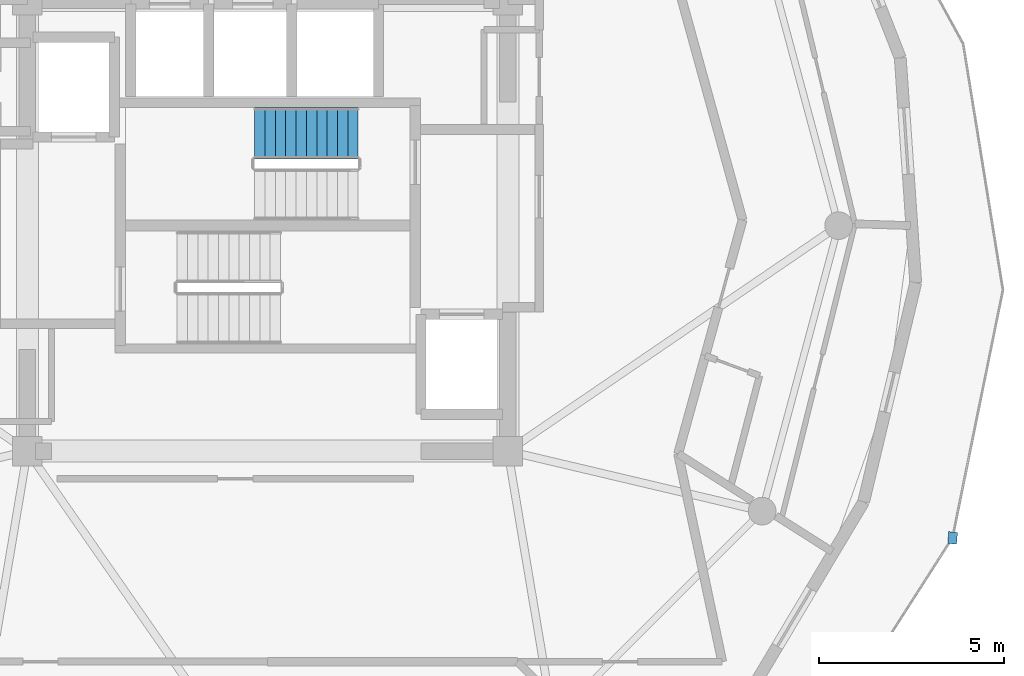
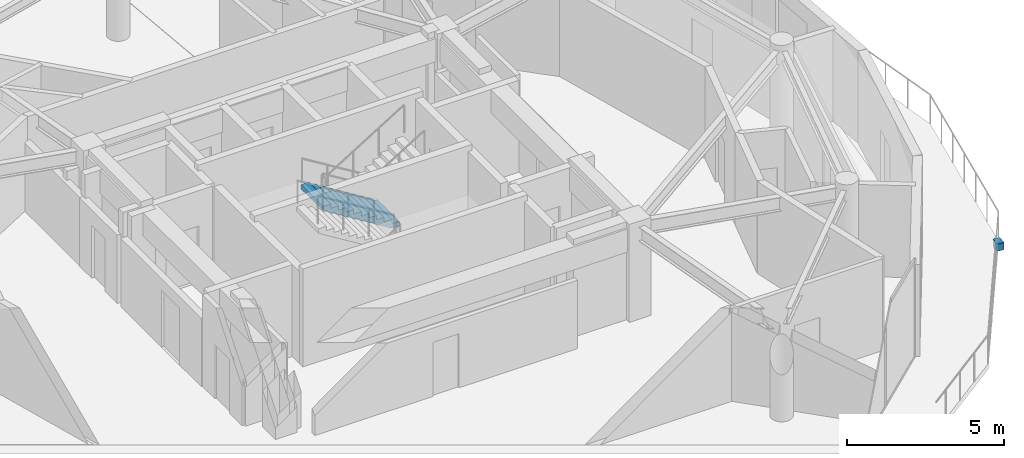
# One storey, part 20 of 22: 1 discrete accessory, 1 stair flight, 1 element without a shape of its own.
"""IFC4 building model written with IfcOpenShell, lengths in metres."""

import ifcopenshell
import ifcopenshell.guid

model = None  # the IFC model being written
_history = None  # IfcOwnerHistory: only IFC2X3 demands one
_inside = {}  # id of a spatial element -> (the spatial element, [elements in it])
_under = {}  # id of a project, library or spatial element -> (it, [spatial elements below it])
_declared = {}  # id of a project -> (the project, [libraries it declares])
_typed = {}  # id of a type object -> (the type object, [elements of that type])
_made_of = {}  # id of a material, layer set ... -> (it, [elements and type objects made of it])


def new_model(schema):
    """Start an empty IFC model of exactly this schema.

    Asked for "IFC4X3", IfcOpenShell would pick the latest addendum, in which some entities
    have other attributes; the version numbers below select the first issue.
    IFC2X3 requires an IfcOwnerHistory on every rooted entity: one is made here for all.
    """
    global model, _history
    if schema == "IFC4X3":
        model = ifcopenshell.file(schema_version=(4, 3, 0, 0))
    else:
        model = ifcopenshell.file(schema=schema)
    _inside.clear()
    _under.clear()
    _declared.clear()
    _typed.clear()
    _made_of.clear()
    _history = None
    if model.schema == "IFC2X3":
        org = make("IfcOrganization", Name="unknown")
        user = make(
            "IfcPersonAndOrganization",
            ThePerson=make("IfcPerson", FamilyName="unknown"),
            TheOrganization=org,
        )
        app = make(
            "IfcApplication",
            ApplicationDeveloper=org,
            Version="unknown",
            ApplicationFullName="unknown",
            ApplicationIdentifier="unknown",
        )
        _history = make(
            "IfcOwnerHistory",
            OwningUser=user,
            OwningApplication=app,
            ChangeAction="ADDED",
            CreationDate=0,
        )
    return model


def make(cls, **values):
    """One entity of the class cls with the attributes given. An attribute that is None is left unset."""
    return model.create_entity(
        cls, **{name: value for name, value in values.items() if value is not None}
    )


def rooted(cls, **values):
    """An entity with a GlobalId (a new one), such as an element, a storey or a relation."""
    return make(cls, GlobalId=ifcopenshell.guid.new(), OwnerHistory=_history, **values)


def si_unit(unit_type, name, prefix=None):
    """IfcSIUnit, for example si_unit("LENGTHUNIT", "METRE", prefix="MILLI")."""
    return make("IfcSIUnit", UnitType=unit_type, Prefix=prefix, Name=name)


def assignment(units):
    """IfcUnitAssignment: the units of a project."""
    return None if units is None else make("IfcUnitAssignment", Units=units)


def point(xyz):
    """IfcCartesianPoint."""
    return None if xyz is None else make("IfcCartesianPoint", Coordinates=xyz)


def direction(xyz):
    """IfcDirection."""
    return None if xyz is None else make("IfcDirection", DirectionRatios=xyz)


def frame(location, z_axis=None, x_axis=None):
    """IfcAxis2Placement3D, a coordinate frame: its origin and axes. An axis left out is left unset."""
    return make(
        "IfcAxis2Placement3D",
        Location=point(location),
        Axis=direction(z_axis),
        RefDirection=direction(x_axis),
    )


def frame_2d(location, x_axis=None):
    """IfcAxis2Placement2D, a coordinate frame in the plane: its origin and x axis."""
    return make(
        "IfcAxis2Placement2D", Location=point(location), RefDirection=direction(x_axis)
    )


def origin():
    """The frame at (0, 0, 0) with its axes left unset."""
    return frame((0.0, 0.0, 0.0))


def origin_2d():
    """The frame at (0, 0) in the plane with its x axis left unset."""
    return frame_2d((0.0, 0.0))


def place(relative_to, where):
    """IfcLocalPlacement: puts the frame where relative to a parent placement (None: the world)."""
    return make(
        "IfcLocalPlacement", PlacementRelTo=relative_to, RelativePlacement=where
    )


def context(
    kind, dimensions, precision=None, world=None, true_north=None, identifier=None
):
    """IfcGeometricRepresentationContext, for example the 3D "Model" context."""
    return make(
        "IfcGeometricRepresentationContext",
        ContextIdentifier=identifier,
        ContextType=kind,
        CoordinateSpaceDimension=dimensions,
        Precision=precision,
        WorldCoordinateSystem=world,
        TrueNorth=true_north,
    )


def subcontext(parent, identifier, kind, view, scale=None):
    """IfcGeometricRepresentationSubContext, for example "Body" below "Model"."""
    return make(
        "IfcGeometricRepresentationSubContext",
        ContextIdentifier=identifier,
        ContextType=kind,
        ParentContext=parent,
        TargetScale=scale,
        TargetView=view,
    )


def project(units=None, contexts=None):
    """IfcProject with its units and contexts."""
    return rooted(
        "IfcProject",
        Name="project",
        RepresentationContexts=contexts,
        UnitsInContext=assignment(units),
    )


def spatial(cls, under=None, at=None, **own):
    """A site, building, storey or space (cls), placed at a placement, below another one or the project."""
    s = rooted(cls, ObjectPlacement=at, **own)
    if under is not None:
        _under.setdefault(under.id(), (under, []))[1].append(s)
    return s


def polyline(points):
    """IfcPolyline through the points."""
    return make("IfcPolyline", Points=[point(p) for p in points])


def profile(cls, at=None, kind="AREA", **sizes):
    """A parametric profile (cls). Its sizes go by their IFC names, for example OverallWidth=200.0."""
    return make(cls, ProfileType=kind, Position=at, **sizes)


def rectangle(**sizes):
    """IfcRectangleProfileDef."""
    return profile("IfcRectangleProfileDef", **sizes)


def outline(outer, holes=None, kind="AREA"):
    """IfcArbitraryClosedProfileDef: a profile drawn as a closed curve; with holes, ...WithVoids."""
    if holes is None:
        return make("IfcArbitraryClosedProfileDef", ProfileType=kind, OuterCurve=outer)
    return make(
        "IfcArbitraryProfileDefWithVoids",
        ProfileType=kind,
        OuterCurve=outer,
        InnerCurves=holes,
    )


def extrude(swept, where, along, depth):
    """IfcExtrudedAreaSolid: the profile swept, set in the frame where, extruded along a direction by depth."""
    return make(
        "IfcExtrudedAreaSolid",
        SweptArea=swept,
        Position=where,
        ExtrudedDirection=direction(along),
        Depth=depth,
    )


def shape(context_of_items, identifier, shape_type, items):
    """IfcShapeRepresentation: the items that make up one representation, for example the "Body"."""
    return make(
        "IfcShapeRepresentation",
        ContextOfItems=context_of_items,
        RepresentationIdentifier=identifier,
        RepresentationType=shape_type,
        Items=items,
    )


def material(Name=None, Category=None):
    """IfcMaterial."""
    return make("IfcMaterial", Name=Name, Category=Category)


def made_of(thing, what):
    """Note that an element or type object is made of a material, layer set ...; save() writes the relation."""
    if what is not None:
        _made_of.setdefault(what.id(), (what, []))[1].append(thing)
    return thing


def type_object(cls, material=None, **own):
    """A type object (cls), such as IfcWallType, which elements share."""
    return made_of(rooted(cls, **own), material)


def element(
    cls,
    number,
    at=None,
    inside=None,
    cuts=None,
    type_object=None,
    material=None,
    context=None,
    identifier="Body",
    shape_type=None,
    held_by="IfcProductDefinitionShape",
    body=None,
    shapes=None,
    **own,
):
    """One element of the class cls, such as IfcWall. Its Tag is "e" and its number.

    at: its placement. inside: the storey or other place that contains it. cuts: it is an
    opening in that element (IfcRelVoidsElement). A single representation is given by context,
    identifier, shape_type and body (its items); several are given by shapes. held_by: the class
    of the entity that holds the representations. save() writes the other relations.
    """
    e = rooted(cls, Tag="e%d" % number, ObjectPlacement=at, **own)
    if body is not None:
        shapes = [shape(context, identifier, shape_type, body)]
    if shapes is not None:
        e.Representation = make(held_by, Representations=shapes)
    if inside is not None:
        _inside.setdefault(inside.id(), (inside, []))[1].append(e)
    if cuts is not None:
        rooted(
            "IfcRelVoidsElement", RelatingBuildingElement=cuts, RelatedOpeningElement=e
        )
    if type_object is not None:
        _typed.setdefault(type_object.id(), (type_object, []))[1].append(e)
    return made_of(e, material)


def aggregate(whole, parts):
    """IfcRelAggregates: a whole, such as a stair, and the parts it consists of."""
    return rooted("IfcRelAggregates", RelatingObject=whole, RelatedObjects=parts)


def save(model, path):
    """Write the relations noted so far, then the file.

    IfcRelAggregates (storeys below a building ...), IfcRelContainedInSpatialStructure (elements
    in a storey), IfcRelDefinesByType, IfcRelAssociatesMaterial and IfcRelDeclares: one each for
    every whole, place, type object, material and project.
    """
    for whole, parts in _under.values():
        aggregate(whole, parts)
    for where, things in _inside.values():
        rooted(
            "IfcRelContainedInSpatialStructure",
            RelatedElements=things,
            RelatingStructure=where,
        )
    for kind, things in _typed.values():
        rooted("IfcRelDefinesByType", RelatedObjects=things, RelatingType=kind)
    for what, things in _made_of.values():
        rooted("IfcRelAssociatesMaterial", RelatedObjects=things, RelatingMaterial=what)
    for by, libraries in _declared.values():
        rooted("IfcRelDeclares", RelatingContext=by, RelatedDefinitions=libraries)
    model.write(path)


model = new_model("IFC4")

# Units and contexts
model_context = context("Model", 3, precision=1e-05, world=origin(), true_north=direction((0.0, 1.0)))
body_context = subcontext(model_context, "Body", "Model", "MODEL_VIEW")
ifc_project = project(units=[si_unit("LENGTHUNIT", "METRE"), si_unit("AREAUNIT", "SQUARE_METRE"), si_unit("VOLUMEUNIT", "CUBIC_METRE"), si_unit("PLANEANGLEUNIT", "RADIAN"), si_unit("MASSUNIT", "GRAM", prefix="KILO")], contexts=[model_context])

# Site, building, storey
site_placement = place(None, origin())
site = spatial("IfcSite", under=ifc_project, at=site_placement, CompositionType="ELEMENT")
building_placement = place(site_placement, origin())
building = spatial("IfcBuilding", under=site, at=building_placement, Name="Solvirekh Grand Hotel", CompositionType="ELEMENT")
storey_placement = place(building_placement, frame((0.0, 0.0, 293.39990234375)))
storey = spatial("IfcBuildingStorey", under=building, at=storey_placement, Name="L76", CompositionType="ELEMENT", Elevation=293.39990234375)

# Stair, stair flight
ifc_material_1 = material(Name="Concrete C40/50", Category="concrete")
stair_type = type_object("IfcStairType", Name="Stair_Core_1450", PredefinedType="HALF_TURN_STAIR", material=ifc_material_1)
stair_placement = place(storey_placement, origin())
stair = element("IfcStair", 1, at=stair_placement, inside=storey, type_object=stair_type, Name="L76 Enclosed exit stair ST-2", PredefinedType="HALF_TURN_STAIR")
stair_flight_type = type_object("IfcStairFlightType", Name="Flight_Core_1450", PredefinedType="STRAIGHT", material=ifc_material_1)
stair_flight_placement = place(storey_placement, frame((2.449951171875, 2.5, 0.0), z_axis=(0.0, 0.0, 1.0), x_axis=(-1.0, 0.0, 0.0)))
stair_flight = element("IfcStairFlight", 2, at=stair_flight_placement, type_object=stair_flight_type, Name="ST-2 flight 1", NumberOfRisers=11, NumberOfTreads=10, PredefinedType="STRAIGHT", RiserHeight=0.172727273, TreadLength=0.28, context=body_context, shape_type="SweptSolid", body=[
    extrude(outline(polyline([(0.0, 0.0), (0.0, 0.172607421875), (0.280029296875, 0.172607421875), (0.280029296875, 0.345458984375), (0.56005859375, 0.345458984375), (0.56005859375, 0.51806640625), (0.840087890625, 0.51806640625), (0.840087890625, 0.69091796875), (1.1201171875, 0.69091796875), (1.1201171875, 0.863525390625), (1.39990234375, 0.863525390625), (1.39990234375, 1.036376953125), (1.679931640625, 1.036376953125), (1.679931640625, 1.208984375), (1.9599609375, 1.208984375), (1.9599609375, 1.3818359375), (2.239990234375, 1.3818359375), (2.239990234375, 1.554443359375), (2.52001953125, 1.554443359375), (2.52001953125, 1.727294921875), (2.800048828125, 1.727294921875), (2.800048828125, 1.89990234375), (2.800048828125, 1.551025390625), (0.285400390625, 0.0), (0.0, 0.0)])), frame((0.0, 0.699951171875, 0.0), z_axis=(0.0, -1.0, 0.0), x_axis=(1.0, 0.0, 0.0)), (0.0, 0.0, 1.0), 1.39990234375),
])
aggregate(stair, [stair_flight])

# Discrete accessory
ifc_material_2 = material(Name="Steel S355", Category="steel")
discrete_accessory_type = type_object("IfcDiscreteAccessoryType", Name="Acc_ThermalBracket", PredefinedType="BRACKET", material=ifc_material_2)
discrete_accessory_placement = place(storey_placement, frame((18.534912109375, -8.449951171875, -0.27978515625), z_axis=(0.0, 0.0, 1.0), x_axis=(-0.08193850863, -0.996637386818, 0.0)))
element("IfcDiscreteAccessory", 3, at=discrete_accessory_placement, inside=storey, type_object=discrete_accessory_type, Name="L76 balcony thermal-break bracket", PredefinedType="BRACKET", context=body_context, shape_type="SweptSolid", body=[
    extrude(rectangle(XDim=0.320068359375, YDim=0.239990234375, at=origin_2d()), origin(), (0.0, 0.0, 1.0), 0.280029296875),
])

save(model, "model.ifc")
